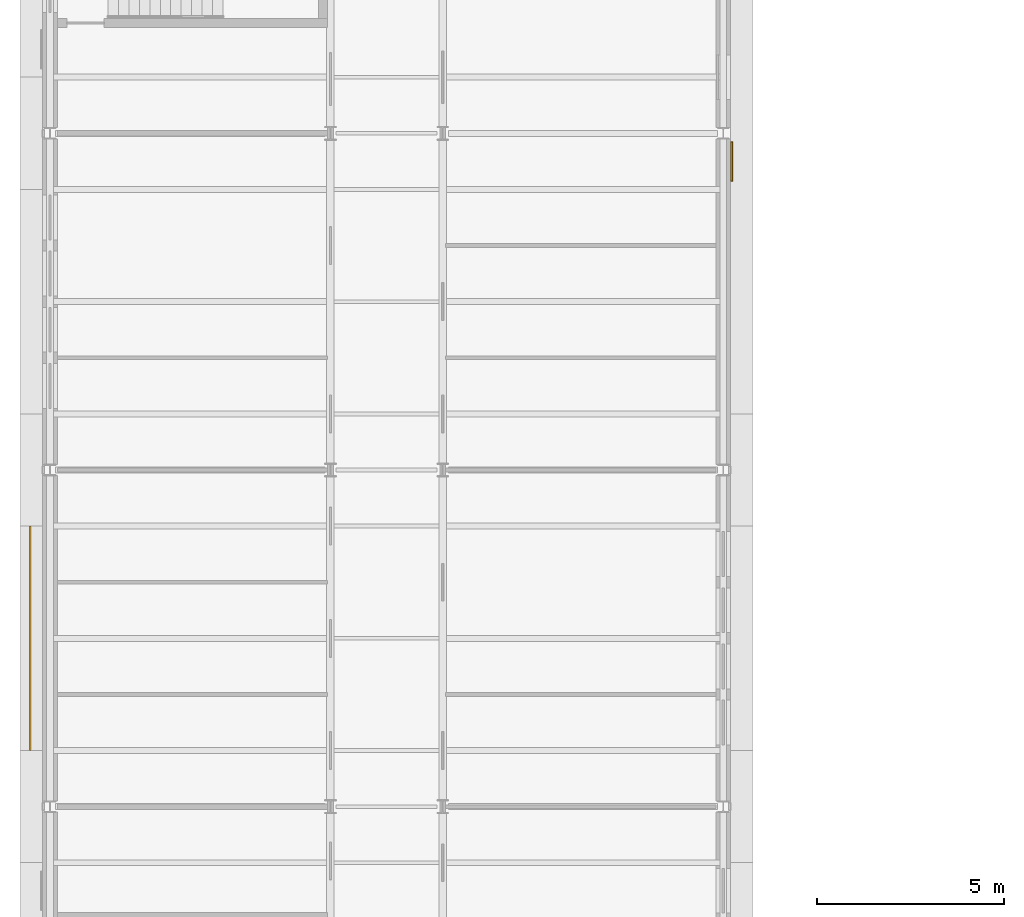
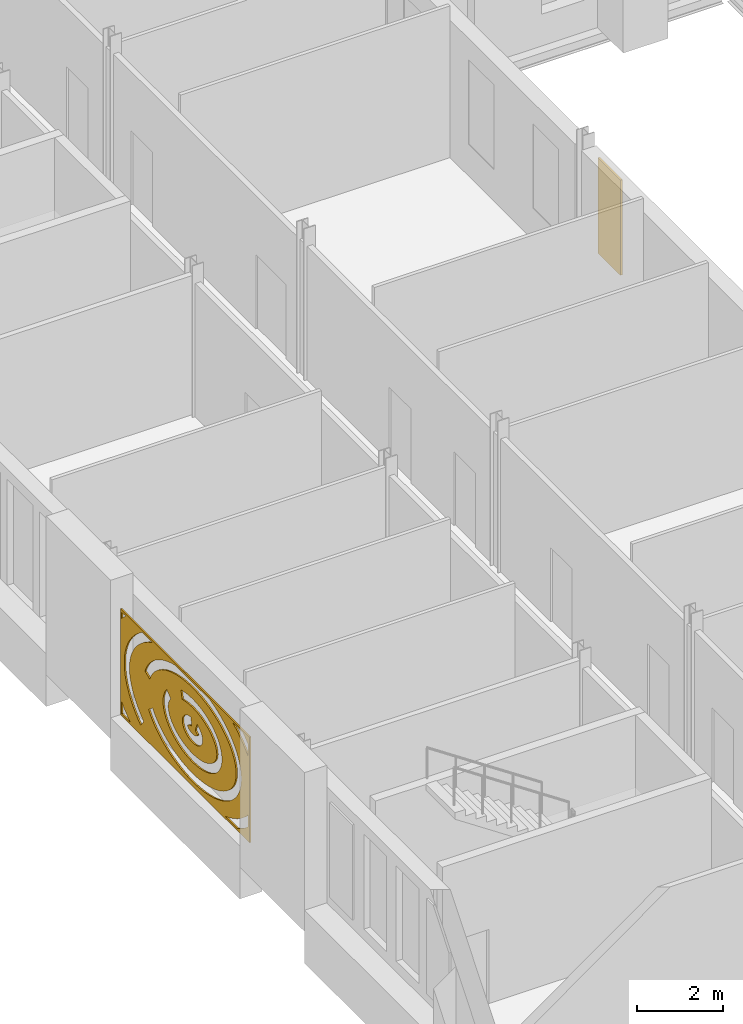
# One storey, part 111 of 134: 2 coverings.
"""IFC4 building model written with IfcOpenShell, lengths in metres."""

from ifc_helpers import new_model, si_unit, direction, frame, origin, place, context, subcontext, project, spatial, polyline, outline, extrude, material, layer, layer_set, type_object, element, save


model = new_model("IFC4")

# Units and contexts
model_context = context("Model", 3, precision=1e-05, world=origin(), true_north=direction((0.0, 1.0)))
body_context = subcontext(model_context, "Body", "Model", "MODEL_VIEW")
ifc_project = project(units=[si_unit("LENGTHUNIT", "METRE"), si_unit("AREAUNIT", "SQUARE_METRE"), si_unit("VOLUMEUNIT", "CUBIC_METRE"), si_unit("PLANEANGLEUNIT", "RADIAN"), si_unit("MASSUNIT", "GRAM", prefix="KILO")], contexts=[model_context])

# Site, building, storey
site_placement = place(None, origin())
site = spatial("IfcSite", under=ifc_project, at=site_placement, CompositionType="ELEMENT")
building_placement = place(site_placement, origin())
building = spatial("IfcBuilding", under=site, at=building_placement, Name="Golden Quay Civic Hall", CompositionType="ELEMENT")
storey_placement = place(building_placement, frame((0.0, 0.0, 5.39990234375)))
storey = spatial("IfcBuildingStorey", under=building, at=storey_placement, Name="L01", CompositionType="ELEMENT", Elevation=5.39990234375)

# Coverings
ifc_material_1 = material(Name="Aluminium, golden anodised, perforated", Category="aluminium")
ifc_layer_1 = layer(ifc_material_1, 0.0400390625)
ifc_layer_set_1 = layer_set([ifc_layer_1], Name="Perforated screen panel 6000 x 3000 x 40")
covering_type_1 = type_object("IfcCoveringType", Name="Perforated screen panel 6000 x 3000 x 40", PredefinedType="CLADDING", material=ifc_layer_set_1)
covering_1_placement = place(storey_placement, frame((-0.5, 40.5, 2.10009765625), z_axis=(-1.0, 0.0, 0.0), x_axis=(0.0, -1.0, 0.0)))
element("IfcCovering", 1, at=covering_1_placement, inside=storey, type_object=covering_type_1, Name="Perforated screen panel 6000 x 3000 x 40 L01 2", PredefinedType="CLADDING", context=body_context, shape_type="SweptSolid", body=[
    extrude(outline(polyline([(-3.0, -1.5), (3.0, -1.5), (3.0, 1.5), (-3.0, 1.5), (-3.0, -1.5)]), holes=[polyline([(0.258056640625, 0.16650390625), (0.1943359375, 0.14599609375), (0.162109375, 0.12841796875), (0.139404296875, 0.110595703125), (0.126708984375, 0.095458984375), (0.120849609375, 0.080078125), (0.1259765625, 0.065673828125), (0.1376953125, 0.051025390625), (0.174072265625, 0.0244140625), (0.210205078125, 0.007568359375), (0.277587890625, -0.010498046875), (0.327880859375, -0.015869140625), (0.379150390625, -0.015380859375), (0.45263671875, -0.004150390625), (0.495361328125, 0.009765625), (0.544189453125, 0.035888671875), (0.564453125, 0.05322265625), (0.574951171875, 0.0673828125), (0.5791015625, 0.07861328125), (0.57568359375, 0.09130859375), (0.55810546875, 0.11279296875), (0.5341796875, 0.130859375), (0.4765625, 0.1572265625), (0.562744140625, 0.38232421875), (0.633056640625, 0.351806640625), (0.68798828125, 0.317626953125), (0.742431640625, 0.269287109375), (0.77392578125, 0.22900390625), (0.801513671875, 0.176513671875), (0.816650390625, 0.123291015625), (0.81982421875, 0.064697265625), (0.810302734375, 0.009521484375), (0.797607421875, -0.02587890625), (0.780517578125, -0.05859375), (0.759765625, -0.0888671875), (0.735595703125, -0.1162109375), (0.708984375, -0.14111328125), (0.6572265625, -0.177978515625), (0.581298828125, -0.21533203125), (0.54541015625, -0.22802734375), (0.477294921875, -0.245361328125), (0.3916015625, -0.256103515625), (0.319091796875, -0.256591796875), (0.272705078125, -0.2529296875), (0.2021484375, -0.240966796875), (0.164794921875, -0.231201171875), (0.093505859375, -0.20458984375), (0.0283203125, -0.1689453125), (-0.02880859375, -0.123291015625), (-0.06201171875, -0.085693359375), (-0.093505859375, -0.034912109375), (-0.1123046875, 0.016357421875), (-0.1201171875, 0.074462890625), (-0.115234375, 0.130615234375), (-0.097412109375, 0.186767578125), (-0.0712890625, 0.23291015625), (-0.03271484375, 0.279296875), (0.025390625, 0.326904296875), (0.066162109375, 0.351318359375), (0.135009765625, 0.381591796875), (0.201904296875, 0.40087890625), (0.27978515625, 0.413818359375), (0.310546875, 0.1748046875), (0.258056640625, 0.16650390625)]), polyline([(-0.724609375, 0.27685546875), (-0.746826171875, 0.232421875), (-0.76318359375, 0.187744140625), (-0.773681640625, 0.143310546875), (-0.77880859375, 0.09912109375), (-0.778564453125, 0.05517578125), (-0.772705078125, 0.010986328125), (-0.761474609375, -0.033447265625), (-0.744384765625, -0.078125), (-0.721435546875, -0.122802734375), (-0.6923828125, -0.167236328125), (-0.6572265625, -0.211181640625), (-0.61572265625, -0.254150390625), (-0.568603515625, -0.2958984375), (-0.515380859375, -0.3359375), (-0.456787109375, -0.373779296875), (-0.392822265625, -0.409423828125), (-0.32421875, -0.44189453125), (-0.251220703125, -0.4716796875), (-0.17431640625, -0.497802734375), (-0.093994140625, -0.5205078125), (-0.010986328125, -0.539306640625), (0.07470703125, -0.55419921875), (0.161865234375, -0.565185546875), (0.250244140625, -0.572021484375), (0.339599609375, -0.574462890625), (0.4287109375, -0.572998046875), (0.517333984375, -0.567138671875), (0.60498046875, -0.55712890625), (0.69091796875, -0.543212890625), (0.774658203125, -0.525146484375), (0.855712890625, -0.50341796875), (0.933349609375, -0.47802734375), (1.00732421875, -0.44921875), (1.0771484375, -0.417236328125), (1.14208984375, -0.382568359375), (1.201904296875, -0.34521484375), (1.256591796875, -0.305419921875), (1.30517578125, -0.26416015625), (1.347900390625, -0.221435546875), (1.384521484375, -0.177490234375), (1.4150390625, -0.13330078125), (1.439453125, -0.088623046875), (1.4580078125, -0.0439453125), (1.470458984375, 0.00048828125), (1.4775390625, 0.044677734375), (1.479248046875, 0.0888671875), (1.475341796875, 0.1328125), (1.46630859375, 0.17724609375), (1.451171875, 0.2216796875), (1.430419921875, 0.266357421875), (1.40380859375, 0.310791015625), (1.370849609375, 0.35498046875), (1.331787109375, 0.3984375), (1.28662109375, 0.44091796875), (1.235595703125, 0.4814453125), (1.178955078125, 0.520263671875), (1.116943359375, 0.556640625), (1.0498046875, 0.59033203125), (0.978515625, 0.62109375), (0.90283203125, 0.648681640625), (0.82373046875, 0.672607421875), (0.74169921875, 0.69287109375), (0.656982421875, 0.709228515625), (0.5703125, 0.7216796875), (0.482177734375, 0.72998046875), (0.393310546875, 0.73388671875), (0.303955078125, 0.73388671875), (0.215087890625, 0.729736328125), (0.126953125, 0.72119140625), (0.040283203125, 0.708740234375), (-0.044189453125, 0.692138671875), (-0.12939453125, 0.671142578125), (-0.1875, 0.90478515625), (-0.093505859375, 0.927978515625), (0.0029296875, 0.94677734375), (0.101318359375, 0.960693359375), (0.195068359375, 0.9697265625), (0.29541015625, 0.974609375), (0.39599609375, 0.974853515625), (0.49609375, 0.970458984375), (0.595703125, 0.961181640625), (0.69970703125, 0.9462890625), (0.790283203125, 0.9287109375), (0.884521484375, 0.90576171875), (0.975830078125, 0.878173828125), (1.0703125, 0.84375), (1.1484375, 0.810302734375), (1.228759765625, 0.77001953125), (1.304443359375, 0.725830078125), (1.375244140625, 0.677978515625), (1.4404296875, 0.626220703125), (1.50732421875, 0.5634765625), (1.560546875, 0.50341796875), (1.600341796875, 0.4501953125), (1.64013671875, 0.385009765625), (1.672607421875, 0.317138671875), (1.700439453125, 0.2333984375), (1.71484375, 0.16064453125), (1.72021484375, 0.08740234375), (1.716552734375, 0.013916015625), (1.7041015625, -0.05859375), (1.68310546875, -0.129638671875), (1.65966796875, -0.1865234375), (1.62353515625, -0.254150390625), (1.572998046875, -0.327880859375), (1.522216796875, -0.387939453125), (1.46484375, -0.444580078125), (1.408935546875, -0.4921875), (1.333251953125, -0.54736328125), (1.259521484375, -0.593017578125), (1.1875, -0.63134765625), (1.09814453125, -0.672607421875), (1.011474609375, -0.7060546875), (0.921142578125, -0.7353515625), (0.833984375, -0.7587890625), (0.732666015625, -0.780517578125), (0.635009765625, -0.796142578125), (0.54150390625, -0.806884765625), (0.435791015625, -0.813720703125), (0.341064453125, -0.8154296875), (0.240478515625, -0.8125), (0.135009765625, -0.804443359375), (0.041748046875, -0.79296875), (-0.055419921875, -0.776123046875), (-0.150390625, -0.754638671875), (-0.242919921875, -0.728759765625), (-0.33837890625, -0.696044921875), (-0.41796875, -0.6640625), (-0.499755859375, -0.625244140625), (-0.583984375, -0.578369140625), (-0.64990234375, -0.535888671875), (-0.71728515625, -0.485595703125), (-0.7861328125, -0.424560546875), (-0.834716796875, -0.3740234375), (-0.884033203125, -0.313232421875), (-0.9326171875, -0.23828125), (-0.961669921875, -0.182373046875), (-0.989013671875, -0.113037109375), (-1.010498046875, -0.027587890625), (-1.018310546875, 0.031005859375), (-1.019775390625, 0.1044921875), (-1.009765625, 0.192138671875), (-0.99169921875, 0.263916015625), (-0.970703125, 0.3212890625), (-0.931396484375, 0.400634765625), (-0.889892578125, 0.465087890625), (-0.8486328125, 0.51806640625), (-0.65869140625, 0.36962890625), (-0.696533203125, 0.3212890625), (-0.724609375, 0.27685546875)]), polyline([(-1.382568359375, -0.546630859375), (-1.3115234375, -0.611572265625), (-1.2333984375, -0.673828125), (-1.1484375, -0.7333984375), (-1.05712890625, -0.789794921875), (-0.959716796875, -0.843017578125), (-0.856201171875, -0.89208984375), (-0.747802734375, -0.937255859375), (-0.634521484375, -0.978271484375), (-0.51708984375, -1.0146484375), (-0.3955078125, -1.04638671875), (-0.27099609375, -1.073486328125), (-0.143798828125, -1.095703125), (-0.014404296875, -1.112548828125), (0.11669921875, -1.12451171875), (0.248779296875, -1.131103515625), (0.38134765625, -1.13232421875), (0.513671875, -1.12841796875), (0.645263671875, -1.119384765625), (0.775634765625, -1.105224609375), (0.904052734375, -1.085693359375), (1.0302734375, -1.061279296875), (1.1533203125, -1.031982421875), (1.27294921875, -0.998046875), (1.388671875, -0.95947265625), (1.499755859375, -0.91650390625), (1.605712890625, -0.869384765625), (1.706298828125, -0.818359375), (1.801025390625, -0.763671875), (1.889404296875, -0.705810546875), (1.97119140625, -0.644775390625), (2.0458984375, -0.581298828125), (2.113525390625, -0.51513671875), (2.173583984375, -0.447509765625), (2.22607421875, -0.3779296875), (2.270751953125, -0.307373046875), (2.3076171875, -0.236083984375), (2.3369140625, -0.163818359375), (2.3583984375, -0.091552734375), (2.37255859375, -0.018798828125), (2.37890625, 0.0537109375), (2.3779296875, 0.12646484375), (2.369384765625, 0.19921875), (2.353271484375, 0.271728515625), (2.32958984375, 0.343994140625), (2.298095703125, 0.416015625), (2.259033203125, 0.4873046875), (2.212158203125, 0.5576171875), (2.157470703125, 0.62646484375), (2.095458984375, 0.69384765625), (2.02587890625, 0.75927734375), (1.94921875, 0.822021484375), (1.865478515625, 0.882080078125), (1.775146484375, 0.939208984375), (1.6787109375, 0.992919921875), (1.57666015625, 1.04296875), (1.468994140625, 1.0888671875), (1.356689453125, 1.130615234375), (1.239990234375, 1.168212890625), (1.119384765625, 1.20068359375), (0.995361328125, 1.228759765625), (0.868408203125, 1.251708984375), (0.739501953125, 1.269775390625), (0.608642578125, 1.282470703125), (0.476806640625, 1.2900390625), (0.34423828125, 1.29248046875), (0.2119140625, 1.289794921875), (0.080078125, 1.281494140625), (-0.05078125, 1.268310546875), (-0.1796875, 1.25), (-0.30615234375, 1.2265625), (-0.429931640625, 1.197998046875), (-0.55029296875, 1.1650390625), (-0.666748046875, 1.127197265625), (-0.77880859375, 1.085205078125), (-0.8857421875, 1.038818359375), (-0.9873046875, 0.988525390625), (-1.083251953125, 0.9345703125), (-1.173095703125, 0.877197265625), (-1.256103515625, 0.816650390625), (-1.33203125, 0.753662109375), (-1.401123046875, 0.68798828125), (-1.462646484375, 0.62060546875), (-1.5166015625, 0.551513671875), (-1.562744140625, 0.481201171875), (-1.60107421875, 0.409912109375), (-1.634033203125, 0.33251953125), (-1.855712890625, 0.42724609375), (-1.81591796875, 0.519287109375), (-1.766845703125, 0.60888671875), (-1.70947265625, 0.69580078125), (-1.649658203125, 0.7724609375), (-1.576171875, 0.853515625), (-1.4951171875, 0.930908203125), (-1.40673828125, 1.004638671875), (-1.311767578125, 1.07421875), (-1.210205078125, 1.13916015625), (-1.102783203125, 1.199951171875), (-0.98974609375, 1.256103515625), (-0.87158203125, 1.307373046875), (-0.748779296875, 1.353759765625), (-0.6220703125, 1.39501953125), (-0.452880859375, 1.43994140625), (1.153564453125, 1.43994140625), (1.310791015625, 1.398193359375), (1.432861328125, 1.359375), (1.555908203125, 1.313720703125), (1.67431640625, 1.26318359375), (1.78759765625, 1.2080078125), (1.895263671875, 1.148193359375), (1.997314453125, 1.083984375), (2.0927734375, 1.015380859375), (2.181640625, 0.94287109375), (2.269287109375, 0.8603515625), (2.337646484375, 0.78662109375), (2.404052734375, 0.703125), (2.46240234375, 0.61669921875), (2.511962890625, 0.527099609375), (2.556640625, 0.424560546875), (2.583984375, 0.34130859375), (2.605712890625, 0.245361328125), (2.61865234375, 0.13623046875), (2.619384765625, 0.038818359375), (2.610107421875, -0.058349609375), (2.591064453125, -0.154541015625), (2.566162109375, -0.23828125), (2.52880859375, -0.331787109375), (2.47705078125, -0.431884765625), (2.421142578125, -0.519287109375), (2.36279296875, -0.596435546875), (2.284912109375, -0.6845703125), (2.205078125, -0.761962890625), (2.118408203125, -0.835693359375), (2.030517578125, -0.90087890625), (1.92431640625, -0.970703125), (1.818115234375, -1.03173828125), (1.706298828125, -1.08837890625), (1.5947265625, -1.1376953125), (1.467529296875, -1.18701171875), (1.341552734375, -1.22900390625), (1.216796875, -1.264404296875), (1.07861328125, -1.29736328125), (0.9423828125, -1.323486328125), (0.80908203125, -1.34375), (0.664306640625, -1.359619140625), (0.52294921875, -1.369140625), (0.385986328125, -1.373291015625), (0.239013671875, -1.37158203125), (0.102294921875, -1.36474609375), (-0.038330078125, -1.352294921875), (-0.182373046875, -1.33349609375), (-0.314697265625, -1.310546875), (-0.44921875, -1.281494140625), (-0.585693359375, -1.24560546875), (-0.70849609375, -1.20751953125), (-0.83251953125, -1.162841796875), (-0.957275390625, -1.11083984375), (-1.066162109375, -1.05908203125), (-1.175048828125, -1.0), (-1.278076171875, -0.9365234375), (-1.375, -0.868896484375), (-1.47119140625, -0.7919921875), (-1.548095703125, -0.7216796875), (-1.623779296875, -0.64208984375), (-1.69189453125, -0.5595703125), (-1.505126953125, -0.4072265625), (-1.446044921875, -0.4794921875), (-1.382568359375, -0.546630859375)]), polyline([(1.931396484375, -1.407958984375), (2.066162109375, -1.35205078125), (2.19580078125, -1.291748046875), (2.3193359375, -1.22705078125), (2.436767578125, -1.15869140625), (2.547607421875, -1.086669921875), (2.6513671875, -1.010986328125), (2.747802734375, -0.932373046875), (2.8369140625, -0.85107421875), (2.93994140625, -0.741455078125), (2.93994140625, -1.083251953125), (2.80078125, -1.199951171875), (2.681640625, -1.28662109375), (2.560791015625, -1.365234375), (2.43212890625, -1.43994140625), (1.843994140625, -1.43994140625), (1.931396484375, -1.407958984375)]), polyline([(2.88818359375, 0.958984375), (2.80419921875, 1.042236328125), (2.712158203125, 1.12255859375), (2.61279296875, 1.199951171875), (2.50634765625, 1.2744140625), (2.39306640625, 1.34521484375), (2.21728515625, 1.43994140625), (2.68994140625, 1.43994140625), (2.75341796875, 1.395751953125), (2.863037109375, 1.310302734375), (2.93994140625, 1.243408203125), (2.93994140625, 0.9013671875), (2.88818359375, 0.958984375)]), polyline([(-1.6171875, 1.388427734375), (-1.734619140625, 1.320068359375), (-1.845703125, 1.247802734375), (-1.949462890625, 1.172607421875), (-2.046142578125, 1.093994140625), (-2.135498046875, 1.012451171875), (-2.216796875, 0.9287109375), (-2.2900390625, 0.842529296875), (-2.35546875, 0.754638671875), (-2.412353515625, 0.665283203125), (-2.461181640625, 0.574462890625), (-2.50146484375, 0.48291015625), (-2.533203125, 0.390380859375), (-2.556884765625, 0.297607421875), (-2.572021484375, 0.2041015625), (-2.5791015625, 0.11083984375), (-2.57763671875, 0.017333984375), (-2.56787109375, -0.076171875), (-2.5498046875, -0.169189453125), (-2.5234375, -0.261962890625), (-2.488525390625, -0.354248046875), (-2.4453125, -0.445556640625), (-2.393798828125, -0.535888671875), (-2.333984375, -0.625), (-2.26611328125, -0.712158203125), (-2.189697265625, -0.797607421875), (-2.105712890625, -0.880615234375), (-2.013916015625, -0.961181640625), (-1.912353515625, -1.04052734375), (-2.060546875, -1.23046875), (-2.17041015625, -1.14453125), (-2.2724609375, -1.054443359375), (-2.366943359375, -0.960693359375), (-2.45361328125, -0.863525390625), (-2.526611328125, -0.769775390625), (-2.59619140625, -0.666748046875), (-2.656982421875, -0.56103515625), (-2.70849609375, -0.45263671875), (-2.75048828125, -0.34228515625), (-2.782958984375, -0.230224609375), (-2.806884765625, -0.106201171875), (-2.818359375, 0.00830078125), (-2.819580078125, 0.123291015625), (-2.810791015625, 0.23779296875), (-2.793701171875, 0.34130859375), (-2.765625, 0.45458984375), (-2.7275390625, 0.566162109375), (-2.6796875, 0.67578125), (-2.617919921875, 0.791015625), (-2.551513671875, 0.894775390625), (-2.47607421875, 0.995849609375), (-2.392333984375, 1.093505859375), (-2.300537109375, 1.18798828125), (-2.2060546875, 1.274169921875), (-2.098876953125, 1.361572265625), (-1.9912109375, 1.43994140625), (-1.51806640625, 1.43994140625), (-1.6171875, 1.388427734375)]), polyline([(-2.8173828125, 1.384033203125), (-2.91796875, 1.289306640625), (-2.93994140625, 1.26611328125), (-2.93994140625, 1.43994140625), (-2.751708984375, 1.43994140625), (-2.8173828125, 1.384033203125)]), polyline([(-2.93994140625, -1.10595703125), (-2.81689453125, -1.224609375), (-2.708740234375, -1.316650390625), (-2.543701171875, -1.43994140625), (-2.935302734375, -1.43994140625), (-2.93994140625, -1.43603515625), (-2.93994140625, -1.10595703125)])]), origin(), (0.0, 0.0, 1.0), 0.0400390625),
])
ifc_material_2 = material(Name="Terracotta cladding, golden glaze", Category="masonry")
ifc_layer_2 = layer(ifc_material_2, 0.050048828125)
ifc_layer_set_2 = layer_set([ifc_layer_2], Name="Terracotta solid panel 1050 x 2700 x 50")
covering_type_2 = type_object("IfcCoveringType", Name="Terracotta solid panel 1050 x 2700 x 50", PredefinedType="CLADDING", material=ifc_layer_set_2)
covering_2_placement = place(storey_placement, frame((0.0, 0.0, 0.900146484375)))
element("IfcCovering", 2, at=covering_2_placement, inside=storey, type_object=covering_type_2, Name="Terracotta solid panel 1050 x 2700 x 50 L01 13", PredefinedType="CLADDING", context=body_context, shape_type="SweptSolid", body=[
    extrude(outline(polyline([(18.199951171875, 52.72509765625), (18.199951171875, 53.77490234375), (18.25, 53.77490234375), (18.25, 52.72509765625), (18.199951171875, 52.72509765625)])), origin(), (0.0, 0.0, 1.0), 2.699951171875),
])

save(model, "model.ifc")
